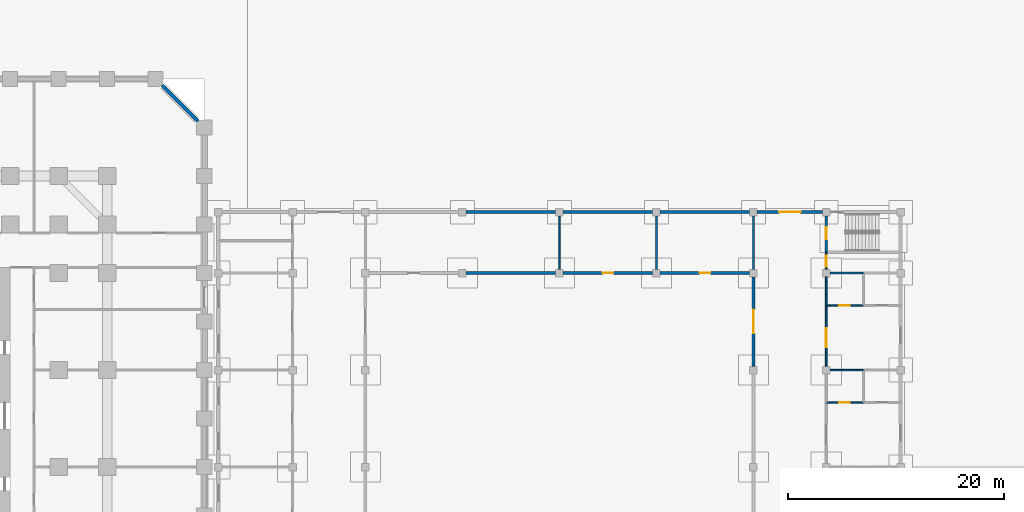
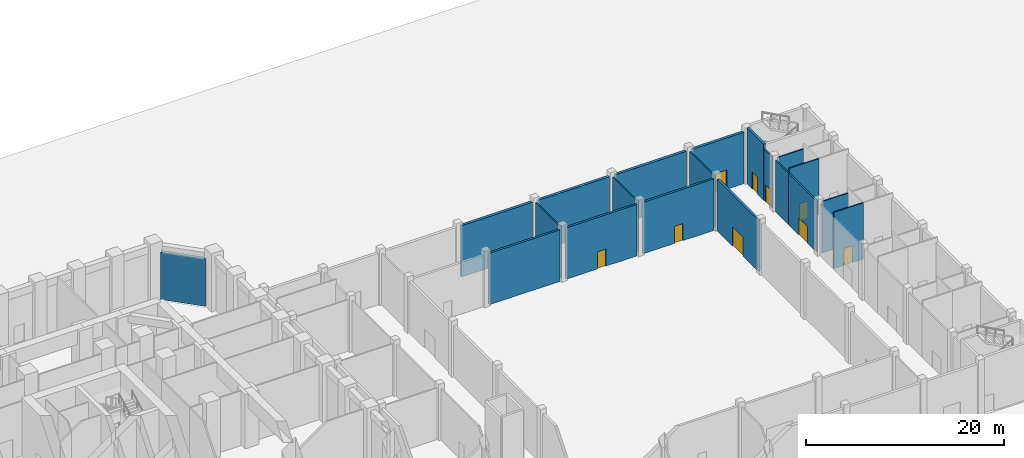
# One storey, part 17 of 30: 20 walls, 9 doors, 9 openings.
"""IFC4 building model written with IfcOpenShell, lengths in metres."""

from ifc_helpers import new_model, si_unit, direction, frame, frame_2d, origin, place, context, subcontext, project, spatial, rectangle, extrude, material, layer, layer_set, type_object, element, fill, save


model = new_model("IFC4")

# Units and contexts
model_context = context("Model", 3, precision=1e-05, world=origin(), true_north=direction((0.0, 1.0)))
body_context = subcontext(model_context, "Body", "Model", "MODEL_VIEW")
ifc_project = project(units=[si_unit("LENGTHUNIT", "METRE"), si_unit("AREAUNIT", "SQUARE_METRE"), si_unit("VOLUMEUNIT", "CUBIC_METRE"), si_unit("PLANEANGLEUNIT", "RADIAN"), si_unit("MASSUNIT", "GRAM", prefix="KILO")], contexts=[model_context])

# Site, building, storey
site_placement = place(None, origin())
site = spatial("IfcSite", under=ifc_project, at=site_placement, CompositionType="ELEMENT")
building_placement = place(site_placement, origin())
building = spatial("IfcBuilding", under=site, at=building_placement, Name="Corbel Stack Research Tower", CompositionType="ELEMENT")
storey_placement = place(building_placement, origin())
storey = spatial("IfcBuildingStorey", under=building, at=storey_placement, Name="L00", CompositionType="ELEMENT", Elevation=0.0)

# Walls
ifc_material_1 = material(Name="Concrete C45/55", Category="concrete")
ifc_layer_1 = layer(ifc_material_1, 0.35009765625)
ifc_layer_set_1 = layer_set([ifc_layer_1], Name="Concrete C45/55")
wall_type_1 = type_object("IfcWallType", Name="Board-marked concrete wall 350", PredefinedType="SOLIDWALL", material=ifc_layer_set_1)
wall_1_placement = place(storey_placement, frame((32.076416015625, 35.423583984375, 0.0), z_axis=(0.0, 0.0, 1.0), x_axis=(0.707106781187, -0.707106781187, 0.0)))
element("IfcWall", 1, at=wall_1_placement, inside=storey, type_object=wall_type_1, Name="Facade wall L00 NE01", PredefinedType="SOLIDWALL", context=body_context, shape_type="SweptSolid", body=[
    extrude(rectangle(XDim=4.733642578125, YDim=0.35009765625, at=frame_2d((2.36669921875, 0.0))), origin(), (0.0, 0.0, 1.0), 5.85009765625),
])
ifc_material_2 = material(Name="Concrete C40/50", Category="concrete")
ifc_layer_2 = layer(ifc_material_2, 0.300048828125)
ifc_layer_set_2 = layer_set([ifc_layer_2], Name="Concrete C40/50")
wall_type_2 = type_object("IfcWallType", Name="HW1 exterior wall 300", PredefinedType="SOLIDWALL", material=ifc_layer_set_2)
for number, where, z_axis, x_axis, name in (
    (2, (60.300048828125, 23.64990234375, 0.0), (0.0, 0.0, 1.0), (1.0, 0.0, 0.0), "Exterior wall L00 h23.65/60.3"),
    (3, (69.300048828125, 23.64990234375, 0.0), (0.0, 0.0, 1.0), (1.0, 0.0, 0.0), "Exterior wall L00 h23.65/69.3"),
    (4, (78.300048828125, 23.64990234375, 0.0), (0.0, 0.0, 1.0), (1.0, 0.0, 0.0), "Exterior wall L00 h23.65/78.3"),
):
    element("IfcWall", number, at=place(storey_placement, frame(where, z_axis=z_axis, x_axis=x_axis)), inside=storey, type_object=wall_type_2, Name=name, PredefinedType="SOLIDWALL", context=body_context, shape_type="SweptSolid", body=[
        extrude(rectangle(XDim=8.300048828125, YDim=0.300048828125, at=frame_2d((4.14990234375, 0.0))), origin(), (0.0, 0.0, 1.0), 6.35009765625),
    ])

# Wall, opening, door
wall_2_placement = place(storey_placement, frame((87.300048828125, 23.64990234375, 0.0), z_axis=(0.0, 0.0, 1.0), x_axis=(1.0, 0.0, 0.0)))
wall_2 = element("IfcWall", 5, at=wall_2_placement, inside=storey, type_object=wall_type_2, Name="Exterior wall L00 h23.65/87.3", PredefinedType="SOLIDWALL", context=body_context, shape_type="SweptSolid", body=[
    extrude(rectangle(XDim=6.050048828125, YDim=0.300048828125, at=frame_2d((3.02490234375, 0.0))), origin(), (0.0, 0.0, 1.0), 6.35009765625),
])
opening_1_placement = place(wall_2_placement, frame((2.02490234375, 0.0, 0.0)))
opening_1 = element("IfcOpeningElement", 6, at=opening_1_placement, cuts=wall_2, Name="Opening H0-21", PredefinedType="OPENING", context=body_context, shape_type="SweptSolid", body=[
    extrude(rectangle(XDim=2.0, YDim=2.39990234375, at=frame_2d((1.0, 1.199951171875))), frame((0.0, 0.159912109375, 0.0), z_axis=(0.0, -1.0, 0.0), x_axis=(1.0, 0.0, 0.0)), (0.0, 0.0, 1.0), 0.320068359375),
])
ifc_material_3 = material(Name="Glass and aluminium", Category="aluminium")
door_type_1 = type_object("IfcDoorType", Name="HD3 entrance door pair 2000 x 2400", OperationType="DOUBLE_DOOR_SINGLE_SWING", PredefinedType="DOOR", material=ifc_material_3)
door_1_placement = place(opening_1_placement, origin())
door_1 = element("IfcDoor", 7, at=door_1_placement, inside=storey, type_object=door_type_1, Name="Door H0-21", OperationType="DOUBLE_DOOR_SINGLE_SWING", OverallHeight=2.39990234375, OverallWidth=2.0, PredefinedType="DOOR", context=body_context, shape_type="SweptSolid", body=[
    extrude(rectangle(XDim=2.0, YDim=2.39990234375, at=frame_2d((1.0, 1.199951171875))), frame((0.0, 0.02490234375, 0.0), z_axis=(0.0, -1.0, 0.0), x_axis=(1.0, 0.0, 0.0)), (0.0, 0.0, 1.0), 0.050048828125),
])
fill(opening_1, door_1)

ifc_material_4 = material(Name="Concrete C40/50", Category="concrete")
ifc_layer_3 = layer(ifc_material_4, 0.25)
ifc_layer_set_3 = layer_set([ifc_layer_3], Name="Concrete C40/50")
wall_type_3 = type_object("IfcWallType", Name="HW2 core wall C40/50 250", PredefinedType="SHEAR", material=ifc_layer_set_3)
wall_3_placement = place(storey_placement, frame((93.699951171875, 19.925048828125, 0.0), z_axis=(0.0, 0.0, 1.0), x_axis=(0.0, 1.0, 0.0)))
wall_3 = element("IfcWall", 8, at=wall_3_placement, inside=storey, type_object=wall_type_3, Name="Wall L00 v93.70/19.9", PredefinedType="SHEAR", context=body_context, shape_type="SweptSolid", body=[
    extrude(rectangle(XDim=3.375, YDim=0.25, at=frame_2d((1.6875, 0.0))), origin(), (0.0, 0.0, 1.0), 6.949951171875),
])
opening_2_placement = place(wall_3_placement, frame((1.22509765625, 0.0, 0.0)))
opening_2 = element("IfcOpeningElement", 9, at=opening_2_placement, cuts=wall_3, Name="Opening H0-42", PredefinedType="OPENING", context=body_context, shape_type="SweptSolid", body=[
    extrude(rectangle(XDim=1.10009765625, YDim=2.10009765625, at=frame_2d((0.550048828125, 1.050048828125))), frame((0.0, 0.135009765625, 0.0), z_axis=(0.0, -1.0, 0.0), x_axis=(1.0, 0.0, 0.0)), (0.0, 0.0, 1.0), 0.27001953125),
])
ifc_material_5 = material(Name="Steel", Category="steel")
door_type_2 = type_object("IfcDoorType", Name="HD4 fire door 1100 x 2100", OperationType="NOTDEFINED", PredefinedType="DOOR", material=ifc_material_5)
door_2_placement = place(opening_2_placement, origin())
door_2 = element("IfcDoor", 10, at=door_2_placement, inside=storey, type_object=door_type_2, Name="Door H0-42", OperationType="SINGLE_SWING_LEFT", OverallHeight=2.10009765625, OverallWidth=1.10009765625, PredefinedType="DOOR", context=body_context, shape_type="SweptSolid", body=[
    extrude(rectangle(XDim=1.10009765625, YDim=2.10009765625, at=frame_2d((0.550048828125, 1.050048828125))), frame((0.0, 0.02490234375, 0.0), z_axis=(0.0, -1.0, 0.0), x_axis=(1.0, 0.0, 0.0)), (0.0, 0.0, 1.0), 0.050048828125),
])
fill(opening_2, door_2)

ifc_material_6 = material(Name="Concrete masonry unit", Category="masonry")
ifc_layer_4 = layer(ifc_material_6, 0.14990234375)
ifc_layer_set_4 = layer_set([ifc_layer_4], Name="Concrete masonry unit")
wall_type_4 = type_object("IfcWallType", Name="HW3 partition 150", PredefinedType="PARTITIONING", material=ifc_layer_set_4)
wall_4_placement = place(storey_placement, frame((93.699951171875, 6.0, 0.0), z_axis=(0.0, 0.0, 1.0), x_axis=(1.0, 0.0, 0.0)))
wall_4 = element("IfcWall", 11, at=wall_4_placement, inside=storey, type_object=wall_type_4, Name="Wall L00 h6.00/93.7", PredefinedType="PARTITIONING", context=body_context, shape_type="SweptSolid", body=[
    extrude(rectangle(XDim=3.449951171875, YDim=0.14990234375, at=frame_2d((1.72509765625, 0.0))), origin(), (0.0, 0.0, 1.0), 6.949951171875),
])
opening_3_placement = place(wall_4_placement, frame((1.199951171875, 0.0, 0.0)))
opening_3 = element("IfcOpeningElement", 12, at=opening_3_placement, cuts=wall_4, Name="Opening H0-13", PredefinedType="OPENING", context=body_context, shape_type="SweptSolid", body=[
    extrude(rectangle(XDim=1.0, YDim=2.10009765625, at=frame_2d((0.5, 1.050048828125))), frame((0.0, 0.0849609375, 0.0), z_axis=(0.0, -1.0, 0.0), x_axis=(1.0, 0.0, 0.0)), (0.0, 0.0, 1.0), 0.169921875),
])
ifc_material_7 = material(Name="Timber", Category="wood")
door_type_3 = type_object("IfcDoorType", Name="HD1 single door 1000 x 2100", OperationType="NOTDEFINED", PredefinedType="DOOR", material=ifc_material_7)
door_3_placement = place(opening_3_placement, origin())
door_3 = element("IfcDoor", 13, at=door_3_placement, inside=storey, type_object=door_type_3, Name="Door H0-13", OperationType="SINGLE_SWING_RIGHT", OverallHeight=2.10009765625, OverallWidth=1.0, PredefinedType="DOOR", context=body_context, shape_type="SweptSolid", body=[
    extrude(rectangle(XDim=1.0, YDim=2.10009765625, at=frame_2d((0.5, 1.050048828125))), frame((0.0, 0.02490234375, 0.0), z_axis=(0.0, -1.0, 0.0), x_axis=(1.0, 0.0, 0.0)), (0.0, 0.0, 1.0), 0.050048828125),
])
fill(opening_3, door_3)

# Wall
wall_5_placement = place(storey_placement, frame((94.050048828125, 9.0, 0.0), z_axis=(0.0, 0.0, 1.0), x_axis=(1.0, 0.0, 0.0)))
element("IfcWall", 14, at=wall_5_placement, inside=storey, type_object=wall_type_4, Name="Wall L00 h9.00/94.0", PredefinedType="PARTITIONING", context=body_context, shape_type="SweptSolid", body=[
    extrude(rectangle(XDim=3.099853515625, YDim=0.14990234375, at=frame_2d((1.5498046875, 0.0))), origin(), (0.0, 0.0, 1.0), 6.35009765625),
])

# Wall, opening, door
wall_6_placement = place(storey_placement, frame((93.699951171875, 15.0, 0.0), z_axis=(0.0, 0.0, 1.0), x_axis=(1.0, 0.0, 0.0)))
wall_6 = element("IfcWall", 15, at=wall_6_placement, inside=storey, type_object=wall_type_4, Name="Wall L00 h15.00/93.7", PredefinedType="PARTITIONING", context=body_context, shape_type="SweptSolid", body=[
    extrude(rectangle(XDim=3.449951171875, YDim=0.14990234375, at=frame_2d((1.72509765625, 0.0))), origin(), (0.0, 0.0, 1.0), 6.949951171875),
])
opening_4_placement = place(wall_6_placement, frame((1.199951171875, 0.0, 0.0)))
opening_4 = element("IfcOpeningElement", 16, at=opening_4_placement, cuts=wall_6, Name="Opening H0-15", PredefinedType="OPENING", context=body_context, shape_type="SweptSolid", body=[
    extrude(rectangle(XDim=1.0, YDim=2.10009765625, at=frame_2d((0.5, 1.050048828125))), frame((0.0, 0.0849609375, 0.0), z_axis=(0.0, -1.0, 0.0), x_axis=(1.0, 0.0, 0.0)), (0.0, 0.0, 1.0), 0.169921875),
])
door_4_placement = place(opening_4_placement, origin())
door_4 = element("IfcDoor", 17, at=door_4_placement, inside=storey, type_object=door_type_3, Name="Door H0-15", OperationType="SINGLE_SWING_RIGHT", OverallHeight=2.10009765625, OverallWidth=1.0, PredefinedType="DOOR", context=body_context, shape_type="SweptSolid", body=[
    extrude(rectangle(XDim=1.0, YDim=2.10009765625, at=frame_2d((0.5, 1.050048828125))), frame((0.0, 0.02490234375, 0.0), z_axis=(0.0, -1.0, 0.0), x_axis=(1.0, 0.0, 0.0)), (0.0, 0.0, 1.0), 0.050048828125),
])
fill(opening_4, door_4)

# Walls
wall_7_placement = place(storey_placement, frame((94.050048828125, 18.0, 0.0), z_axis=(0.0, 0.0, 1.0), x_axis=(1.0, 0.0, 0.0)))
element("IfcWall", 18, at=wall_7_placement, inside=storey, type_object=wall_type_4, Name="Wall L00 h18.00/94.0", PredefinedType="PARTITIONING", context=body_context, shape_type="SweptSolid", body=[
    extrude(rectangle(XDim=3.099853515625, YDim=0.14990234375, at=frame_2d((1.5498046875, 0.0))), origin(), (0.0, 0.0, 1.0), 6.35009765625),
])
for number, where, z_axis, x_axis, name in (
    (19, (68.949951171875, 18.35009765625, 0.0), (0.0, 0.0, 1.0), (0.0, 1.0, 0.0), "Wall L00 v68.95/18.4"),
    (20, (77.949951171875, 18.35009765625, 0.0), (0.0, 0.0, 1.0), (0.0, 1.0, 0.0), "Wall L00 v77.95/18.4"),
    (21, (86.949951171875, 18.35009765625, 0.0), (0.0, 0.0, 1.0), (0.0, 1.0, 0.0), "Wall L00 v86.95/18.4"),
):
    element("IfcWall", number, at=place(storey_placement, frame(where, z_axis=z_axis, x_axis=x_axis)), inside=storey, type_object=wall_type_4, Name=name, PredefinedType="PARTITIONING", context=body_context, shape_type="SweptSolid", body=[
        extrude(rectangle(XDim=4.949951171875, YDim=0.14990234375, at=frame_2d((2.47509765625, 0.0))), origin(), (0.0, 0.0, 1.0), 6.35009765625),
    ])

# Wall, opening, door
wall_8_placement = place(storey_placement, frame((93.699951171875, 9.35009765625, 0.0), z_axis=(0.0, 0.0, 1.0), x_axis=(0.0, 1.0, 0.0)))
wall_8 = element("IfcWall", 22, at=wall_8_placement, inside=storey, type_object=wall_type_4, Name="Wall L00 v93.70/9.3", PredefinedType="PARTITIONING", context=body_context, shape_type="SweptSolid", body=[
    extrude(rectangle(XDim=5.64990234375, YDim=0.14990234375, at=frame_2d((2.824951171875, 0.0))), origin(), (0.0, 0.0, 1.0), 6.35009765625),
])
opening_5_placement = place(wall_8_placement, frame((1.75, 0.0, 0.0)))
opening_5 = element("IfcOpeningElement", 23, at=opening_5_placement, cuts=wall_8, Name="Opening H0-40", PredefinedType="OPENING", context=body_context, shape_type="SweptSolid", body=[
    extrude(rectangle(XDim=1.800048828125, YDim=2.10009765625, at=frame_2d((0.89990234375, 1.050048828125))), frame((0.0, 0.0849609375, 0.0), z_axis=(0.0, -1.0, 0.0), x_axis=(1.0, 0.0, 0.0)), (0.0, 0.0, 1.0), 0.169921875),
])
ifc_material_8 = material(Name="Timber", Category="wood")
door_type_4 = type_object("IfcDoorType", Name="HD2 double door 1800 x 2100", OperationType="DOUBLE_DOOR_SINGLE_SWING", PredefinedType="DOOR", material=ifc_material_8)
door_5_placement = place(opening_5_placement, origin())
door_5 = element("IfcDoor", 24, at=door_5_placement, inside=storey, type_object=door_type_4, Name="Door H0-40", OperationType="DOUBLE_DOOR_SINGLE_SWING", OverallHeight=2.10009765625, OverallWidth=1.800048828125, PredefinedType="DOOR", context=body_context, shape_type="SweptSolid", body=[
    extrude(rectangle(XDim=1.800048828125, YDim=2.10009765625, at=frame_2d((0.89990234375, 1.050048828125))), frame((0.0, 0.02490234375, 0.0), z_axis=(0.0, -1.0, 0.0), x_axis=(1.0, 0.0, 0.0)), (0.0, 0.0, 1.0), 0.050048828125),
])
fill(opening_5, door_5)

# Wall
wall_9_placement = place(storey_placement, frame((93.699951171875, 15.0, 0.0), z_axis=(0.0, 0.0, 1.0), x_axis=(0.0, 1.0, 0.0)))
element("IfcWall", 25, at=wall_9_placement, inside=storey, type_object=wall_type_4, Name="Wall L00 v93.70/15.0", PredefinedType="PARTITIONING", context=body_context, shape_type="SweptSolid", body=[
    extrude(rectangle(XDim=2.64990234375, YDim=0.14990234375, at=frame_2d((1.324951171875, 0.0))), origin(), (0.0, 0.0, 1.0), 6.35009765625),
])

# Wall, opening, door
wall_10_placement = place(storey_placement, frame((93.699951171875, 19.925048828125, 0.0), z_axis=(0.0, 0.0, 1.0), x_axis=(0.0, -1.0, 0.0)))
wall_10 = element("IfcWall", 26, at=wall_10_placement, inside=storey, type_object=wall_type_4, Name="Wall L00 v93.70/18.4", PredefinedType="PARTITIONING", context=body_context, shape_type="SweptSolid", body=[
    extrude(rectangle(XDim=1.574951171875, YDim=0.14990234375, at=frame_2d((0.78759765625, 0.0))), origin(), (0.0, 0.0, 1.0), 6.35009765625),
])
opening_6_placement = place(wall_10_placement, frame((0.324951171875, 0.0, 0.0)))
opening_6 = element("IfcOpeningElement", 27, at=opening_6_placement, cuts=wall_10, Name="Opening H0-41", PredefinedType="OPENING", context=body_context, shape_type="SweptSolid", body=[
    extrude(rectangle(XDim=1.0, YDim=2.10009765625, at=frame_2d((0.5, 1.050048828125))), frame((0.0, 0.0849609375, 0.0), z_axis=(0.0, -1.0, 0.0), x_axis=(1.0, 0.0, 0.0)), (0.0, 0.0, 1.0), 0.169921875),
])
door_6_placement = place(opening_6_placement, origin())
door_6 = element("IfcDoor", 28, at=door_6_placement, inside=storey, type_object=door_type_3, Name="Door H0-41", OperationType="SINGLE_SWING_RIGHT", OverallHeight=2.10009765625, OverallWidth=1.0, PredefinedType="DOOR", context=body_context, shape_type="SweptSolid", body=[
    extrude(rectangle(XDim=1.0, YDim=2.10009765625, at=frame_2d((0.5, 1.050048828125))), frame((0.0, 0.02490234375, 0.0), z_axis=(0.0, -1.0, 0.0), x_axis=(1.0, 0.0, 0.0)), (0.0, 0.0, 1.0), 0.050048828125),
])
fill(opening_6, door_6)

# Wall
ifc_material_9 = material(Name="Concrete C40/50", Category="concrete")
ifc_layer_5 = layer(ifc_material_9, 0.25)
ifc_layer_set_5 = layer_set([ifc_layer_5], Name="Concrete C40/50")
wall_type_5 = type_object("IfcWallType", Name="HW4 court wall 250", PredefinedType="SOLIDWALL", material=ifc_layer_set_5)
wall_11_placement = place(storey_placement, frame((60.300048828125, 18.0, 0.0), z_axis=(0.0, 0.0, 1.0), x_axis=(1.0, 0.0, 0.0)))
element("IfcWall", 29, at=wall_11_placement, inside=storey, type_object=wall_type_5, Name="Wall L00 h18.00/60.3", PredefinedType="SOLIDWALL", context=body_context, shape_type="SweptSolid", body=[
    extrude(rectangle(XDim=8.300048828125, YDim=0.25, at=frame_2d((4.14990234375, 0.0))), origin(), (0.0, 0.0, 1.0), 6.35009765625),
])

# Wall, opening, door
wall_12_placement = place(storey_placement, frame((77.60009765625, 18.0, 0.0), z_axis=(0.0, 0.0, 1.0), x_axis=(-1.0, 0.0, 0.0)))
wall_12 = element("IfcWall", 30, at=wall_12_placement, inside=storey, type_object=wall_type_5, Name="Wall L00 h18.00/69.3", PredefinedType="SOLIDWALL", context=body_context, shape_type="SweptSolid", body=[
    extrude(rectangle(XDim=8.300048828125, YDim=0.25, at=frame_2d((4.14990234375, 0.0))), origin(), (0.0, 0.0, 1.0), 6.35009765625),
])
opening_7_placement = place(wall_12_placement, frame((3.64990234375, 0.0, 0.0)))
opening_7 = element("IfcOpeningElement", 31, at=opening_7_placement, cuts=wall_12, Name="Opening H0-18", PredefinedType="OPENING", context=body_context, shape_type="SweptSolid", body=[
    extrude(rectangle(XDim=1.0, YDim=2.10009765625, at=frame_2d((0.5, 1.050048828125))), frame((0.0, 0.135009765625, 0.0), z_axis=(0.0, -1.0, 0.0), x_axis=(1.0, 0.0, 0.0)), (0.0, 0.0, 1.0), 0.27001953125),
])
door_7_placement = place(opening_7_placement, origin())
door_7 = element("IfcDoor", 32, at=door_7_placement, inside=storey, type_object=door_type_3, Name="Door H0-18", OperationType="SINGLE_SWING_LEFT", OverallHeight=2.10009765625, OverallWidth=1.0, PredefinedType="DOOR", context=body_context, shape_type="SweptSolid", body=[
    extrude(rectangle(XDim=1.0, YDim=2.10009765625, at=frame_2d((0.5, 1.050048828125))), frame((0.0, 0.02490234375, 0.0), z_axis=(0.0, -1.0, 0.0), x_axis=(1.0, 0.0, 0.0)), (0.0, 0.0, 1.0), 0.050048828125),
])
fill(opening_7, door_7)

wall_13_placement = place(storey_placement, frame((86.60009765625, 18.0, 0.0), z_axis=(0.0, 0.0, 1.0), x_axis=(-1.0, 0.0, 0.0)))
wall_13 = element("IfcWall", 33, at=wall_13_placement, inside=storey, type_object=wall_type_5, Name="Wall L00 h18.00/78.3", PredefinedType="SOLIDWALL", context=body_context, shape_type="SweptSolid", body=[
    extrude(rectangle(XDim=8.300048828125, YDim=0.25, at=frame_2d((4.14990234375, 0.0))), origin(), (0.0, 0.0, 1.0), 6.35009765625),
])
opening_8_placement = place(wall_13_placement, frame((3.64990234375, 0.0, 0.0)))
opening_8 = element("IfcOpeningElement", 34, at=opening_8_placement, cuts=wall_13, Name="Opening H0-19", PredefinedType="OPENING", context=body_context, shape_type="SweptSolid", body=[
    extrude(rectangle(XDim=1.0, YDim=2.10009765625, at=frame_2d((0.5, 1.050048828125))), frame((0.0, 0.135009765625, 0.0), z_axis=(0.0, -1.0, 0.0), x_axis=(1.0, 0.0, 0.0)), (0.0, 0.0, 1.0), 0.27001953125),
])
door_8_placement = place(opening_8_placement, origin())
door_8 = element("IfcDoor", 35, at=door_8_placement, inside=storey, type_object=door_type_3, Name="Door H0-19", OperationType="SINGLE_SWING_RIGHT", OverallHeight=2.10009765625, OverallWidth=1.0, PredefinedType="DOOR", context=body_context, shape_type="SweptSolid", body=[
    extrude(rectangle(XDim=1.0, YDim=2.10009765625, at=frame_2d((0.5, 1.050048828125))), frame((0.0, 0.02490234375, 0.0), z_axis=(0.0, -1.0, 0.0), x_axis=(1.0, 0.0, 0.0)), (0.0, 0.0, 1.0), 0.050048828125),
])
fill(opening_8, door_8)

wall_14_placement = place(storey_placement, frame((86.949951171875, 17.64990234375, 0.0), z_axis=(0.0, 0.0, 1.0), x_axis=(0.0, -1.0, 0.0)))
wall_14 = element("IfcWall", 36, at=wall_14_placement, inside=storey, type_object=wall_type_5, Name="Wall L00 v86.95/9.3", PredefinedType="SOLIDWALL", context=body_context, shape_type="SweptSolid", body=[
    extrude(rectangle(XDim=8.2998046875, YDim=0.25, at=frame_2d((4.14990234375, 0.0))), origin(), (0.0, 0.0, 1.0), 6.35009765625),
])
opening_9_placement = place(wall_14_placement, frame((3.050048828125, 0.0, 0.0)))
opening_9 = element("IfcOpeningElement", 37, at=opening_9_placement, cuts=wall_14, Name="Opening H0-34", PredefinedType="OPENING", context=body_context, shape_type="SweptSolid", body=[
    extrude(rectangle(XDim=2.199951171875, YDim=2.39990234375, at=frame_2d((1.10009765625, 1.199951171875))), frame((0.0, 0.135009765625, 0.0), z_axis=(0.0, -1.0, 0.0), x_axis=(1.0, 0.0, 0.0)), (0.0, 0.0, 1.0), 0.27001953125),
])
ifc_material_10 = material(Name="Timber", Category="wood")
door_type_5 = type_object("IfcDoorType", Name="HD8 court door pair 2200 x 2400", OperationType="DOUBLE_DOOR_SINGLE_SWING", PredefinedType="DOOR", material=ifc_material_10)
door_9_placement = place(opening_9_placement, origin())
door_9 = element("IfcDoor", 38, at=door_9_placement, inside=storey, type_object=door_type_5, Name="Door H0-34", OperationType="DOUBLE_DOOR_SINGLE_SWING", OverallHeight=2.39990234375, OverallWidth=2.199951171875, PredefinedType="DOOR", context=body_context, shape_type="SweptSolid", body=[
    extrude(rectangle(XDim=2.199951171875, YDim=2.39990234375, at=frame_2d((1.10009765625, 1.199951171875))), frame((0.0, 0.02490234375, 0.0), z_axis=(0.0, -1.0, 0.0), x_axis=(1.0, 0.0, 0.0)), (0.0, 0.0, 1.0), 0.050048828125),
])
fill(opening_9, door_9)

save(model, "model.ifc")
